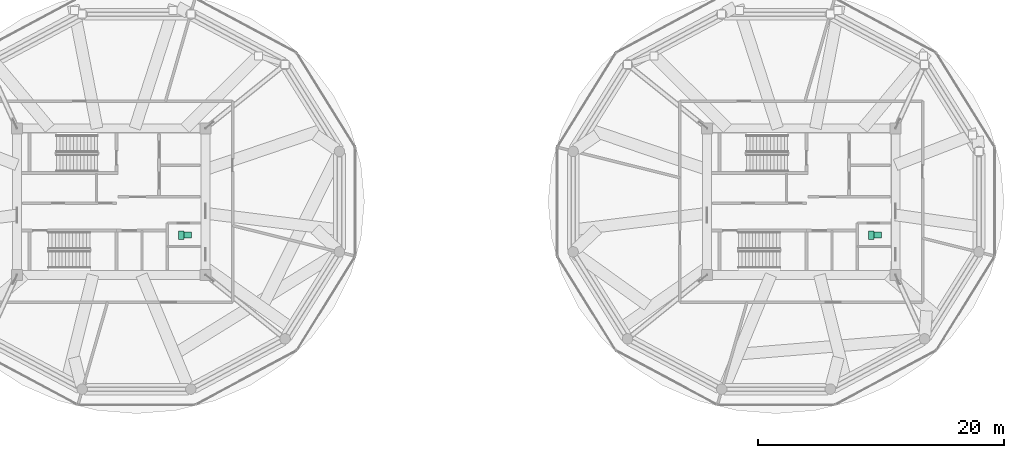
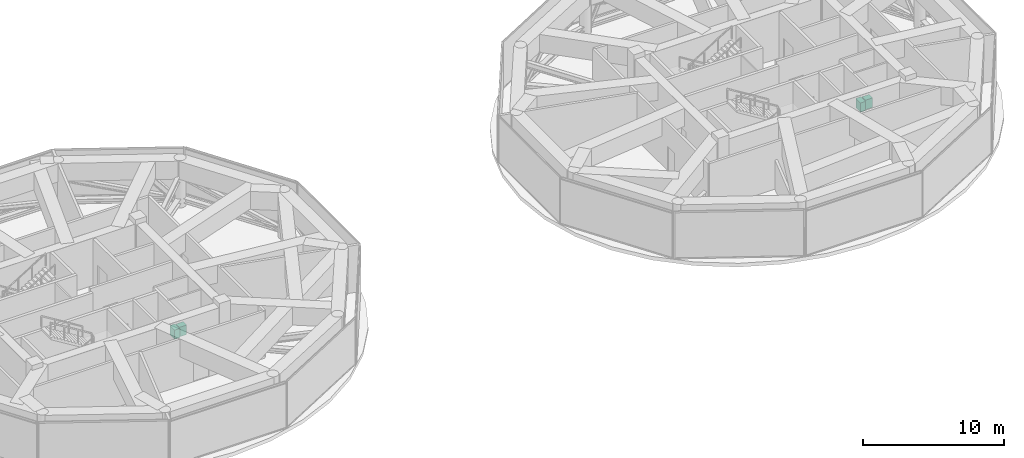
# One storey, part 23 of 23: 4 sanitary terminals.
"""IFC4 building model written with IfcOpenShell, lengths in metres."""

from ifc_helpers import new_model, si_unit, direction, frame, origin, origin_2d, place, context, subcontext, project, spatial, rectangle, extrude, source, transform, mapped, material, type_object, type_shapes, element, save


model = new_model("IFC4")

# Units and contexts
model_context = context("Model", 3, precision=1e-05, world=origin(), true_north=direction((0.0, 1.0)))
body_context = subcontext(model_context, "Body", "Model", "MODEL_VIEW")
ifc_project = project(units=[si_unit("LENGTHUNIT", "METRE"), si_unit("AREAUNIT", "SQUARE_METRE"), si_unit("VOLUMEUNIT", "CUBIC_METRE"), si_unit("PLANEANGLEUNIT", "RADIAN"), si_unit("MASSUNIT", "GRAM", prefix="KILO")], contexts=[model_context])

# Site, building, storey
site_placement = place(None, origin())
site = spatial("IfcSite", under=ifc_project, at=site_placement, CompositionType="ELEMENT")
building_placement = place(site_placement, origin())
building = spatial("IfcBuilding", under=site, at=building_placement, Name="Norrkilde Senior Care Towers", CompositionType="ELEMENT")
storey_placement = place(building_placement, frame((0.0, 0.0, 129.800048828125)))
storey = spatial("IfcBuildingStorey", under=building, at=storey_placement, Name="L40", CompositionType="ELEMENT", Elevation=129.800048828125)

# Sanitary terminals
ifc_material = material(Name="Porcelain Ceramic")
sanitary_terminal_type_1 = type_object("IfcSanitaryTerminalType", Name="Accessible Senior WC Suite", PredefinedType="TOILETPAN", material=ifc_material)
shared_shape_1 = source(origin(), body_context, "Body", "SweptSolid", [
    extrude(rectangle(XDim=0.419921875, YDim=0.679931640625, at=origin_2d()), origin(), (0.0, 0.0, 1.0), 0.780029296875),
])
type_shapes(sanitary_terminal_type_1, [shared_shape_1])
for number, where, z_axis, x_axis, name in (
    (1, (-22.324951171875, -2.715087890625, 0.0), (0.0, 0.0, 1.0), (1.0, 0.0, 0.0), "L40 Accessible WC Pan 0115"),
    (2, (33.675048828125, -2.715087890625, 0.0), (0.0, 0.0, 1.0), (1.0, 0.0, 0.0), "L40 Accessible WC Pan 0116"),
):
    element("IfcSanitaryTerminal", number, at=place(storey_placement, frame(where, z_axis=z_axis, x_axis=x_axis)), inside=storey, type_object=sanitary_terminal_type_1, Name=name, PredefinedType="TOILETPAN", context=body_context, shape_type="MappedRepresentation", body=[
        mapped(shared_shape_1, transform((0.0, 0.0, 0.0), x_axis=(1.0, 0.0, 0.0), y_axis=(0.0, 1.0, 0.0), z_axis=(0.0, 0.0, 1.0), scale=1.0)),
    ])
sanitary_terminal_type_2 = type_object("IfcSanitaryTerminalType", Name="Thermostatic Care Washbasin", PredefinedType="WASHHANDBASIN", material=ifc_material)
shared_shape_2 = source(origin(), body_context, "Body", "SweptSolid", [
    extrude(rectangle(XDim=0.60009765625, YDim=0.5, at=origin_2d()), origin(), (0.0, 0.0, 1.0), 0.820068359375),
])
type_shapes(sanitary_terminal_type_2, [shared_shape_2])
for number, where, z_axis, x_axis, name in (
    (3, (-21.794921875, -2.715087890625, 0.0), (0.0, 0.0, 1.0), (1.0, 0.0, 0.0), "L40 Accessible Washbasin 0115"),
    (4, (34.205078125, -2.715087890625, 0.0), (0.0, 0.0, 1.0), (1.0, 0.0, 0.0), "L40 Accessible Washbasin 0116"),
):
    element("IfcSanitaryTerminal", number, at=place(storey_placement, frame(where, z_axis=z_axis, x_axis=x_axis)), inside=storey, type_object=sanitary_terminal_type_2, Name=name, PredefinedType="WASHHANDBASIN", context=body_context, shape_type="MappedRepresentation", body=[
        mapped(shared_shape_2, transform((0.0, 0.0, 0.0), x_axis=(1.0, 0.0, 0.0), y_axis=(0.0, 1.0, 0.0), z_axis=(0.0, 0.0, 1.0), scale=1.0)),
    ])

save(model, "model.ifc")
